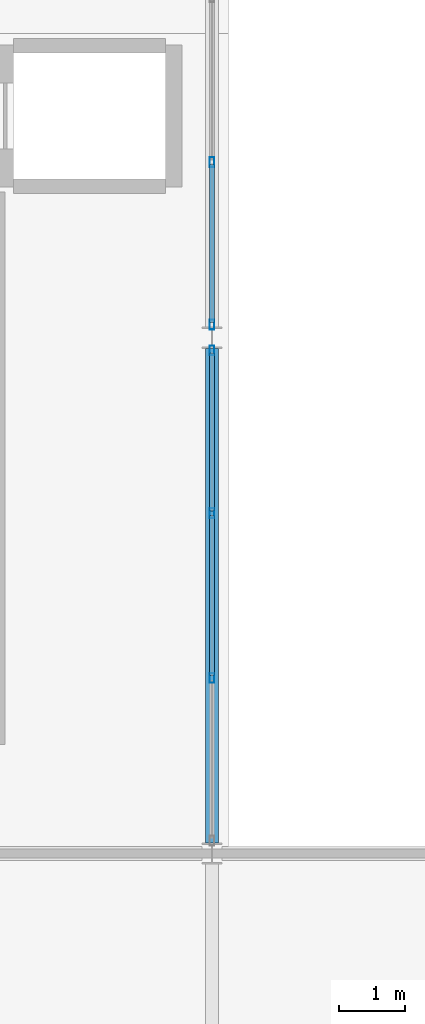
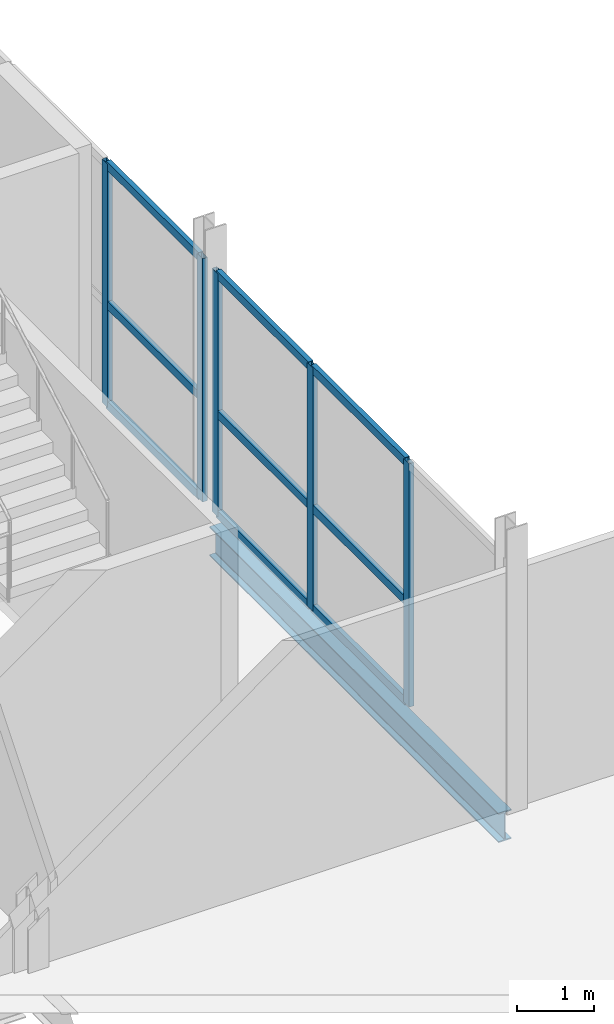
# One storey, part 14 of 77: 14 members, 1 beam, 2 elements without a shape of their own.
"""IFC4 building model written with IfcOpenShell, lengths in metres."""

from ifc_helpers import new_model, si_unit, direction, frame, origin, origin_2d, place, context, subcontext, project, spatial, hollow_rectangle, i_section, extrude, material, layer, layer_set, material_profile, profile_set, type_object, element, aggregate, save


model = new_model("IFC4")

# Units and contexts
model_context = context("Model", 3, precision=1e-05, world=origin(), true_north=direction((0.0, 1.0)))
body_context = subcontext(model_context, "Body", "Model", "MODEL_VIEW")
ifc_project = project(units=[si_unit("LENGTHUNIT", "METRE"), si_unit("AREAUNIT", "SQUARE_METRE"), si_unit("VOLUMEUNIT", "CUBIC_METRE"), si_unit("PLANEANGLEUNIT", "RADIAN"), si_unit("MASSUNIT", "GRAM", prefix="KILO")], contexts=[model_context])

# Site, building, storey
site_placement = place(None, origin())
site = spatial("IfcSite", under=ifc_project, at=site_placement, CompositionType="ELEMENT")
building_placement = place(site_placement, origin())
building = spatial("IfcBuilding", under=site, at=building_placement, Name="Quillay Park Conservatory", CompositionType="ELEMENT")
storey_placement = place(building_placement, frame((0.0, 0.0, 5.39990234375)))
storey = spatial("IfcBuildingStorey", under=building, at=storey_placement, Name="L01", CompositionType="ELEMENT", Elevation=5.39990234375)

# Curtain wall, members
ifc_material_1 = material(Name="Thermally Broken Anodised Aluminium 6063-T6", Category="aluminium")
ifc_layer = layer(ifc_material_1, 0.1650390625)
ifc_layer_set = layer_set([ifc_layer], Name="UNITISED CURTAIN WALL PODIUM (Thermally Broken Anodised Aluminium 6063-T6)")
curtain_wall_type = type_object("IfcCurtainWallType", Name="UNITISED CURTAIN WALL PODIUM", PredefinedType="USERDEFINED", material=ifc_layer_set)
curtain_wall_1_placement = place(storey_placement, origin())
curtain_wall_1 = element("IfcCurtainWall", 1, at=curtain_wall_1_placement, inside=storey, type_object=curtain_wall_type, Name="L01 Unitised Curtain Wall 200", ObjectType="UNITISED CURTAIN WALL", PredefinedType="USERDEFINED")
ifc_material_2 = material(Name="Thermally Broken Anodised Aluminium 6063-T6", Category="aluminium")
ifc_material_profile_1 = material_profile(ifc_material_2, hollow_rectangle(XDim=0.070068359375, YDim=0.14990234375, WallThickness=0.00341796875, at=origin_2d()), Name="AL70x150x3.5")
ifc_profile_set_1 = profile_set([ifc_material_profile_1], Name="Thermally Broken Anodised Aluminium 6063-T6")
member_type_1 = type_object("IfcMemberType", Name="CURTAIN WALL MULLION 70 X150", PredefinedType="MULLION", material=ifc_profile_set_1)
member_1_placement = place(storey_placement, frame((22.14990234375, 23.205078125, 0.0), z_axis=(0.0, 0.0, 1.0), x_axis=(1.0, 0.0, 0.0)))
member_1 = element("IfcMember", 2, at=member_1_placement, type_object=member_type_1, Name="CW-P1 mullion 1", PredefinedType="MULLION", context=body_context, shape_type="SweptSolid", body=[
    extrude(hollow_rectangle(XDim=0.070068359375, YDim=0.14990234375, WallThickness=0.00341796875, at=origin_2d()), origin(), (0.0, 0.0, 1.0), 3.843994140625),
])
member_2_placement = place(storey_placement, frame((22.14990234375, 20.74658203125, 0.0), z_axis=(0.0, 0.0, 1.0), x_axis=(1.0, 0.0, 0.0)))
member_2 = element("IfcMember", 3, at=member_2_placement, type_object=member_type_1, Name="CW-P1 mullion 2", PredefinedType="MULLION", context=body_context, shape_type="SweptSolid", body=[
    extrude(hollow_rectangle(XDim=0.070068359375, YDim=0.14990234375, WallThickness=0.00341796875, at=origin_2d()), origin(), (0.0, 0.0, 1.0), 3.843994140625),
])
member_3_placement = place(storey_placement, frame((22.14990234375, 18.25341796875, 0.0), z_axis=(0.0, 0.0, 1.0), x_axis=(1.0, 0.0, 0.0)))
member_3 = element("IfcMember", 4, at=member_3_placement, type_object=member_type_1, Name="CW-P1 mullion 3", PredefinedType="MULLION", context=body_context, shape_type="SweptSolid", body=[
    extrude(hollow_rectangle(XDim=0.070068359375, YDim=0.14990234375, WallThickness=0.00341796875, at=origin_2d()), origin(), (0.0, 0.0, 1.0), 3.843994140625),
])

curtain_wall_2_placement = place(storey_placement, origin())
curtain_wall_2 = element("IfcCurtainWall", 5, at=curtain_wall_2_placement, inside=storey, type_object=curtain_wall_type, Name="L01 Unitised Curtain Wall 201", ObjectType="UNITISED CURTAIN WALL", PredefinedType="USERDEFINED")
member_4_placement = place(storey_placement, frame((22.14990234375, 26.05322265625, 0.0), z_axis=(0.0, 0.0, 1.0), x_axis=(1.0, 0.0, 0.0)))
member_4 = element("IfcMember", 6, at=member_4_placement, type_object=member_type_1, Name="CW-P1 mullion 3", PredefinedType="MULLION", context=body_context, shape_type="SweptSolid", body=[
    extrude(hollow_rectangle(XDim=0.070068359375, YDim=0.14990234375, WallThickness=0.00341796875, at=origin_2d()), origin(), (0.0, 0.0, 1.0), 3.843994140625),
])
member_5_placement = place(storey_placement, frame((22.14990234375, 23.594970703125, 0.0), z_axis=(0.0, 0.0, 1.0), x_axis=(1.0, 0.0, 0.0)))
member_5 = element("IfcMember", 7, at=member_5_placement, type_object=member_type_1, Name="CW-P1 mullion 4", PredefinedType="MULLION", context=body_context, shape_type="SweptSolid", body=[
    extrude(hollow_rectangle(XDim=0.070068359375, YDim=0.14990234375, WallThickness=0.00341796875, at=origin_2d()), origin(), (0.0, 0.0, 1.0), 3.843994140625),
])

# Member
ifc_material_3 = material(Name="Thermally Broken Anodised Aluminium 6063-T6", Category="aluminium")
ifc_material_profile_2 = material_profile(ifc_material_3, hollow_rectangle(XDim=0.070068359375, YDim=0.1298828125, WallThickness=0.003173828125, at=origin_2d()), Name="AL70x130x3.2")
ifc_profile_set_2 = profile_set([ifc_material_profile_2], Name="Thermally Broken Anodised Aluminium 6063-T6")
member_type_2 = type_object("IfcMemberType", Name="CURTAIN WALL TRANSOM 70 X130", PredefinedType="USERDEFINED", material=ifc_profile_set_2)
member_6_placement = place(storey_placement, frame((22.14990234375, 23.169921875, 0.03515625), z_axis=(0.0, -1.0, 0.0), x_axis=(1.0, 0.0, 0.0)))
member_6 = element("IfcMember", 8, at=member_6_placement, type_object=member_type_2, Name="CW-P1 transom 1.1", ObjectType="TRANSOM", PredefinedType="USERDEFINED", context=body_context, shape_type="SweptSolid", body=[
    extrude(hollow_rectangle(XDim=0.070068359375, YDim=0.1298828125, WallThickness=0.003173828125, at=origin_2d()), origin(), (0.0, 0.0, 1.0), 2.38818359375),
])

member_7_placement = place(storey_placement, frame((22.14990234375, 23.169921875, 1.614501953125), z_axis=(0.0, -1.0, 0.0), x_axis=(1.0, 0.0, 0.0)))
member_7 = element("IfcMember", 9, at=member_7_placement, type_object=member_type_2, Name="CW-P1 transom 1.2", ObjectType="TRANSOM", PredefinedType="USERDEFINED", context=body_context, shape_type="SweptSolid", body=[
    extrude(hollow_rectangle(XDim=0.070068359375, YDim=0.1298828125, WallThickness=0.003173828125, at=origin_2d()), origin(), (0.0, 0.0, 1.0), 2.38818359375),
])

member_8_placement = place(storey_placement, frame((22.14990234375, 23.169921875, 3.80908203125), z_axis=(0.0, -1.0, 0.0), x_axis=(1.0, 0.0, 0.0)))
member_8 = element("IfcMember", 10, at=member_8_placement, type_object=member_type_2, Name="CW-P1 transom 1.3", ObjectType="TRANSOM", PredefinedType="USERDEFINED", context=body_context, shape_type="SweptSolid", body=[
    extrude(hollow_rectangle(XDim=0.070068359375, YDim=0.1298828125, WallThickness=0.003173828125, at=origin_2d()), origin(), (0.0, 0.0, 1.0), 2.38818359375),
])

member_9_placement = place(storey_placement, frame((22.14990234375, 20.711669921875, 0.03515625), z_axis=(0.0, -1.0, 0.0), x_axis=(1.0, 0.0, 0.0)))
member_9 = element("IfcMember", 11, at=member_9_placement, type_object=member_type_2, Name="CW-P1 transom 2.1", ObjectType="TRANSOM", PredefinedType="USERDEFINED", context=body_context, shape_type="SweptSolid", body=[
    extrude(hollow_rectangle(XDim=0.070068359375, YDim=0.1298828125, WallThickness=0.003173828125, at=origin_2d()), origin(), (0.0, 0.0, 1.0), 2.42333984375),
])

member_10_placement = place(storey_placement, frame((22.14990234375, 20.711669921875, 1.614501953125), z_axis=(0.0, -1.0, 0.0), x_axis=(1.0, 0.0, 0.0)))
member_10 = element("IfcMember", 12, at=member_10_placement, type_object=member_type_2, Name="CW-P1 transom 2.2", ObjectType="TRANSOM", PredefinedType="USERDEFINED", context=body_context, shape_type="SweptSolid", body=[
    extrude(hollow_rectangle(XDim=0.070068359375, YDim=0.1298828125, WallThickness=0.003173828125, at=origin_2d()), origin(), (0.0, 0.0, 1.0), 2.42333984375),
])

member_11_placement = place(storey_placement, frame((22.14990234375, 20.711669921875, 3.80908203125), z_axis=(0.0, -1.0, 0.0), x_axis=(1.0, 0.0, 0.0)))
member_11 = element("IfcMember", 13, at=member_11_placement, type_object=member_type_2, Name="CW-P1 transom 2.3", ObjectType="TRANSOM", PredefinedType="USERDEFINED", context=body_context, shape_type="SweptSolid", body=[
    extrude(hollow_rectangle(XDim=0.070068359375, YDim=0.1298828125, WallThickness=0.003173828125, at=origin_2d()), origin(), (0.0, 0.0, 1.0), 2.42333984375),
])

aggregate(curtain_wall_1, [member_1, member_2, member_3, member_6, member_7, member_8, member_9, member_10, member_11])

member_12_placement = place(storey_placement, frame((22.14990234375, 26.018310546875, 0.03515625), z_axis=(0.0, -1.0, 0.0), x_axis=(1.0, 0.0, 0.0)))
member_12 = element("IfcMember", 14, at=member_12_placement, type_object=member_type_2, Name="CW-P1 transom 3.1", ObjectType="TRANSOM", PredefinedType="USERDEFINED", context=body_context, shape_type="SweptSolid", body=[
    extrude(hollow_rectangle(XDim=0.070068359375, YDim=0.1298828125, WallThickness=0.003173828125, at=origin_2d()), origin(), (0.0, 0.0, 1.0), 2.388427734375),
])

member_13_placement = place(storey_placement, frame((22.14990234375, 26.018310546875, 1.614501953125), z_axis=(0.0, -1.0, 0.0), x_axis=(1.0, 0.0, 0.0)))
member_13 = element("IfcMember", 15, at=member_13_placement, type_object=member_type_2, Name="CW-P1 transom 3.2", ObjectType="TRANSOM", PredefinedType="USERDEFINED", context=body_context, shape_type="SweptSolid", body=[
    extrude(hollow_rectangle(XDim=0.070068359375, YDim=0.1298828125, WallThickness=0.003173828125, at=origin_2d()), origin(), (0.0, 0.0, 1.0), 2.388427734375),
])

member_14_placement = place(storey_placement, frame((22.14990234375, 26.018310546875, 3.80908203125), z_axis=(0.0, -1.0, 0.0), x_axis=(1.0, 0.0, 0.0)))
member_14 = element("IfcMember", 16, at=member_14_placement, type_object=member_type_2, Name="CW-P1 transom 3.3", ObjectType="TRANSOM", PredefinedType="USERDEFINED", context=body_context, shape_type="SweptSolid", body=[
    extrude(hollow_rectangle(XDim=0.070068359375, YDim=0.1298828125, WallThickness=0.003173828125, at=origin_2d()), origin(), (0.0, 0.0, 1.0), 2.388427734375),
])

aggregate(curtain_wall_2, [member_4, member_5, member_12, member_13, member_14])

# Beam
ifc_material_4 = material(Name="Steel ASTM A992 Grade 50", Category="steel")
ifc_material_profile_3 = material_profile(ifc_material_4, i_section(OverallWidth=0.19189453125, OverallDepth=0.462890625, WebThickness=0.010498046875, FlangeThickness=0.017578125, FilletRadius=0.012939453125, at=origin_2d()), Name="W460x89")
ifc_profile_set_3 = profile_set([ifc_material_profile_3], Name="Steel ASTM A992 Grade 50")
beam_type = type_object("IfcBeamType", Name="PRIMARY FLOOR GIRDER W460 X89", PredefinedType="BEAM", material=ifc_profile_set_3)
beam_placement = place(storey_placement, frame((22.14990234375, 15.761474609375, -0.42138671875), z_axis=(0.0, 1.0, 0.0), x_axis=(-1.0, 0.0, 0.0)))
element("IfcBeam", 17, at=beam_placement, inside=storey, type_object=beam_type, Name="L01 beam BM-V3Y-1305", PredefinedType="BEAM", context=body_context, shape_type="SweptSolid", body=[
    extrude(i_section(OverallWidth=0.19189453125, OverallDepth=0.462890625, WebThickness=0.010498046875, FlangeThickness=0.017578125, FilletRadius=0.012939453125, at=origin_2d()), origin(), (0.0, 0.0, 1.0), 7.47705078125),
])

save(model, "model.ifc")
